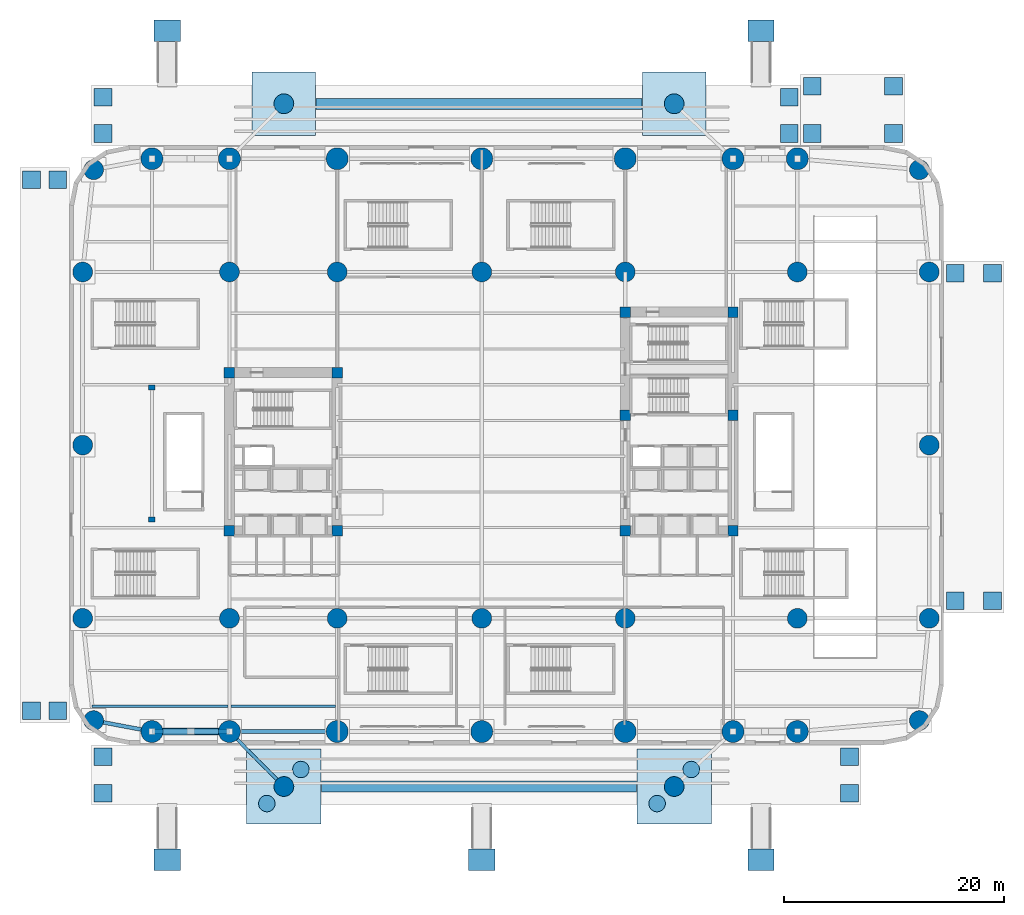
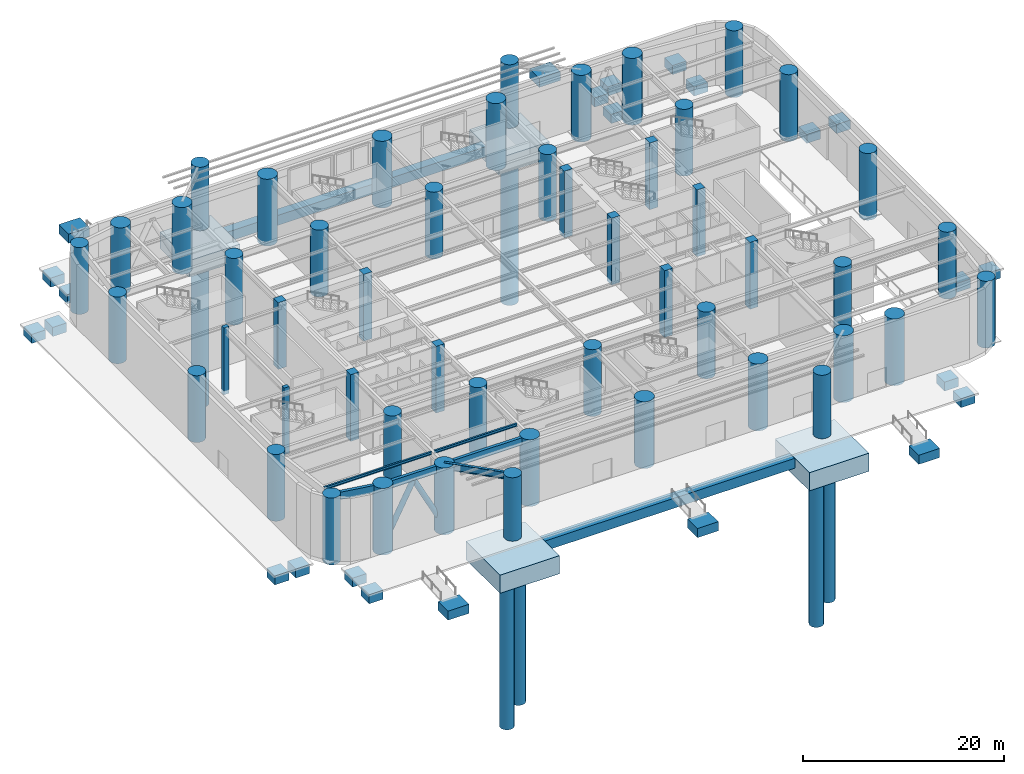
# One storey, part 1 of 25: 50 columns, 31 footings, 6 beams, 6 piles, 2 members.
"""IFC4 building model written with IfcOpenShell, lengths in metres."""

import ifcopenshell
import ifcopenshell.guid

model = None  # the IFC model being written
_history = None  # IfcOwnerHistory: only IFC2X3 demands one
_inside = {}  # id of a spatial element -> (the spatial element, [elements in it])
_under = {}  # id of a project, library or spatial element -> (it, [spatial elements below it])
_declared = {}  # id of a project -> (the project, [libraries it declares])
_typed = {}  # id of a type object -> (the type object, [elements of that type])
_made_of = {}  # id of a material, layer set ... -> (it, [elements and type objects made of it])


def new_model(schema):
    """Start an empty IFC model of exactly this schema.

    Asked for "IFC4X3", IfcOpenShell would pick the latest addendum, in which some entities
    have other attributes; the version numbers below select the first issue.
    IFC2X3 requires an IfcOwnerHistory on every rooted entity: one is made here for all.
    """
    global model, _history
    if schema == "IFC4X3":
        model = ifcopenshell.file(schema_version=(4, 3, 0, 0))
    else:
        model = ifcopenshell.file(schema=schema)
    _inside.clear()
    _under.clear()
    _declared.clear()
    _typed.clear()
    _made_of.clear()
    _history = None
    if model.schema == "IFC2X3":
        org = make("IfcOrganization", Name="unknown")
        user = make(
            "IfcPersonAndOrganization",
            ThePerson=make("IfcPerson", FamilyName="unknown"),
            TheOrganization=org,
        )
        app = make(
            "IfcApplication",
            ApplicationDeveloper=org,
            Version="unknown",
            ApplicationFullName="unknown",
            ApplicationIdentifier="unknown",
        )
        _history = make(
            "IfcOwnerHistory",
            OwningUser=user,
            OwningApplication=app,
            ChangeAction="ADDED",
            CreationDate=0,
        )
    return model


def make(cls, **values):
    """One entity of the class cls with the attributes given. An attribute that is None is left unset."""
    return model.create_entity(
        cls, **{name: value for name, value in values.items() if value is not None}
    )


def rooted(cls, **values):
    """An entity with a GlobalId (a new one), such as an element, a storey or a relation."""
    return make(cls, GlobalId=ifcopenshell.guid.new(), OwnerHistory=_history, **values)


def si_unit(unit_type, name, prefix=None):
    """IfcSIUnit, for example si_unit("LENGTHUNIT", "METRE", prefix="MILLI")."""
    return make("IfcSIUnit", UnitType=unit_type, Prefix=prefix, Name=name)


def assignment(units):
    """IfcUnitAssignment: the units of a project."""
    return None if units is None else make("IfcUnitAssignment", Units=units)


def point(xyz):
    """IfcCartesianPoint."""
    return None if xyz is None else make("IfcCartesianPoint", Coordinates=xyz)


def direction(xyz):
    """IfcDirection."""
    return None if xyz is None else make("IfcDirection", DirectionRatios=xyz)


def frame(location, z_axis=None, x_axis=None):
    """IfcAxis2Placement3D, a coordinate frame: its origin and axes. An axis left out is left unset."""
    return make(
        "IfcAxis2Placement3D",
        Location=point(location),
        Axis=direction(z_axis),
        RefDirection=direction(x_axis),
    )


def frame_2d(location, x_axis=None):
    """IfcAxis2Placement2D, a coordinate frame in the plane: its origin and x axis."""
    return make(
        "IfcAxis2Placement2D", Location=point(location), RefDirection=direction(x_axis)
    )


def origin():
    """The frame at (0, 0, 0) with its axes left unset."""
    return frame((0.0, 0.0, 0.0))


def origin_2d():
    """The frame at (0, 0) in the plane with its x axis left unset."""
    return frame_2d((0.0, 0.0))


def place(relative_to, where):
    """IfcLocalPlacement: puts the frame where relative to a parent placement (None: the world)."""
    return make(
        "IfcLocalPlacement", PlacementRelTo=relative_to, RelativePlacement=where
    )


def context(
    kind, dimensions, precision=None, world=None, true_north=None, identifier=None
):
    """IfcGeometricRepresentationContext, for example the 3D "Model" context."""
    return make(
        "IfcGeometricRepresentationContext",
        ContextIdentifier=identifier,
        ContextType=kind,
        CoordinateSpaceDimension=dimensions,
        Precision=precision,
        WorldCoordinateSystem=world,
        TrueNorth=true_north,
    )


def subcontext(parent, identifier, kind, view, scale=None):
    """IfcGeometricRepresentationSubContext, for example "Body" below "Model"."""
    return make(
        "IfcGeometricRepresentationSubContext",
        ContextIdentifier=identifier,
        ContextType=kind,
        ParentContext=parent,
        TargetScale=scale,
        TargetView=view,
    )


def project(units=None, contexts=None):
    """IfcProject with its units and contexts."""
    return rooted(
        "IfcProject",
        Name="project",
        RepresentationContexts=contexts,
        UnitsInContext=assignment(units),
    )


def spatial(cls, under=None, at=None, **own):
    """A site, building, storey or space (cls), placed at a placement, below another one or the project."""
    s = rooted(cls, ObjectPlacement=at, **own)
    if under is not None:
        _under.setdefault(under.id(), (under, []))[1].append(s)
    return s


def polyline(points):
    """IfcPolyline through the points."""
    return make("IfcPolyline", Points=[point(p) for p in points])


def profile(cls, at=None, kind="AREA", **sizes):
    """A parametric profile (cls). Its sizes go by their IFC names, for example OverallWidth=200.0."""
    return make(cls, ProfileType=kind, Position=at, **sizes)


def rectangle(**sizes):
    """IfcRectangleProfileDef."""
    return profile("IfcRectangleProfileDef", **sizes)


def hollow_rectangle(**sizes):
    """IfcRectangleHollowProfileDef."""
    return profile("IfcRectangleHollowProfileDef", **sizes)


def circle(**sizes):
    """IfcCircleProfileDef."""
    return profile("IfcCircleProfileDef", **sizes)


def hollow_circle(**sizes):
    """IfcCircleHollowProfileDef."""
    return profile("IfcCircleHollowProfileDef", **sizes)


def i_section(**sizes):
    """IfcIShapeProfileDef."""
    return profile("IfcIShapeProfileDef", **sizes)


def outline(outer, holes=None, kind="AREA"):
    """IfcArbitraryClosedProfileDef: a profile drawn as a closed curve; with holes, ...WithVoids."""
    if holes is None:
        return make("IfcArbitraryClosedProfileDef", ProfileType=kind, OuterCurve=outer)
    return make(
        "IfcArbitraryProfileDefWithVoids",
        ProfileType=kind,
        OuterCurve=outer,
        InnerCurves=holes,
    )


def extrude(swept, where, along, depth):
    """IfcExtrudedAreaSolid: the profile swept, set in the frame where, extruded along a direction by depth."""
    return make(
        "IfcExtrudedAreaSolid",
        SweptArea=swept,
        Position=where,
        ExtrudedDirection=direction(along),
        Depth=depth,
    )


def shape(context_of_items, identifier, shape_type, items):
    """IfcShapeRepresentation: the items that make up one representation, for example the "Body"."""
    return make(
        "IfcShapeRepresentation",
        ContextOfItems=context_of_items,
        RepresentationIdentifier=identifier,
        RepresentationType=shape_type,
        Items=items,
    )


def material(Name=None, Category=None):
    """IfcMaterial."""
    return make("IfcMaterial", Name=Name, Category=Category)


def material_profile(
    of_material, cross_section, Name=None, Category=None, Priority=None
):
    """IfcMaterialProfile: a cross section and its material."""
    return make(
        "IfcMaterialProfile",
        Name=Name,
        Material=of_material,
        Profile=cross_section,
        Priority=Priority,
        Category=Category,
    )


def profile_set(profiles, Name=None, composite=None):
    """IfcMaterialProfileSet."""
    return make(
        "IfcMaterialProfileSet",
        Name=Name,
        MaterialProfiles=profiles,
        CompositeProfile=composite,
    )


def made_of(thing, what):
    """Note that an element or type object is made of a material, layer set ...; save() writes the relation."""
    if what is not None:
        _made_of.setdefault(what.id(), (what, []))[1].append(thing)
    return thing


def type_object(cls, material=None, **own):
    """A type object (cls), such as IfcWallType, which elements share."""
    return made_of(rooted(cls, **own), material)


def element(
    cls,
    number,
    at=None,
    inside=None,
    cuts=None,
    type_object=None,
    material=None,
    context=None,
    identifier="Body",
    shape_type=None,
    held_by="IfcProductDefinitionShape",
    body=None,
    shapes=None,
    **own,
):
    """One element of the class cls, such as IfcWall. Its Tag is "e" and its number.

    at: its placement. inside: the storey or other place that contains it. cuts: it is an
    opening in that element (IfcRelVoidsElement). A single representation is given by context,
    identifier, shape_type and body (its items); several are given by shapes. held_by: the class
    of the entity that holds the representations. save() writes the other relations.
    """
    e = rooted(cls, Tag="e%d" % number, ObjectPlacement=at, **own)
    if body is not None:
        shapes = [shape(context, identifier, shape_type, body)]
    if shapes is not None:
        e.Representation = make(held_by, Representations=shapes)
    if inside is not None:
        _inside.setdefault(inside.id(), (inside, []))[1].append(e)
    if cuts is not None:
        rooted(
            "IfcRelVoidsElement", RelatingBuildingElement=cuts, RelatedOpeningElement=e
        )
    if type_object is not None:
        _typed.setdefault(type_object.id(), (type_object, []))[1].append(e)
    return made_of(e, material)


def aggregate(whole, parts):
    """IfcRelAggregates: a whole, such as a stair, and the parts it consists of."""
    return rooted("IfcRelAggregates", RelatingObject=whole, RelatedObjects=parts)


def save(model, path):
    """Write the relations noted so far, then the file.

    IfcRelAggregates (storeys below a building ...), IfcRelContainedInSpatialStructure (elements
    in a storey), IfcRelDefinesByType, IfcRelAssociatesMaterial and IfcRelDeclares: one each for
    every whole, place, type object, material and project.
    """
    for whole, parts in _under.values():
        aggregate(whole, parts)
    for where, things in _inside.values():
        rooted(
            "IfcRelContainedInSpatialStructure",
            RelatedElements=things,
            RelatingStructure=where,
        )
    for kind, things in _typed.values():
        rooted("IfcRelDefinesByType", RelatedObjects=things, RelatingType=kind)
    for what, things in _made_of.values():
        rooted("IfcRelAssociatesMaterial", RelatedObjects=things, RelatingMaterial=what)
    for by, libraries in _declared.values():
        rooted("IfcRelDeclares", RelatingContext=by, RelatedDefinitions=libraries)
    model.write(path)


model = new_model("IFC4")

# Units and contexts
model_context = context("Model", 3, precision=1e-05, world=origin(), true_north=direction((0.0, 1.0)))
body_context = subcontext(model_context, "Body", "Model", "MODEL_VIEW")
ifc_project = project(units=[si_unit("LENGTHUNIT", "METRE"), si_unit("AREAUNIT", "SQUARE_METRE"), si_unit("VOLUMEUNIT", "CUBIC_METRE"), si_unit("PLANEANGLEUNIT", "RADIAN"), si_unit("MASSUNIT", "GRAM", prefix="KILO")], contexts=[model_context])

# Site, building, storey
site_placement = place(None, origin())
site = spatial("IfcSite", under=ifc_project, at=site_placement, CompositionType="ELEMENT")
building_placement = place(site_placement, origin())
building = spatial("IfcBuilding", under=site, at=building_placement, Name="Kolvaren Arena Tower", CompositionType="ELEMENT")
storey_placement = place(building_placement, origin())
storey = spatial("IfcBuildingStorey", under=building, at=storey_placement, Name="L00", CompositionType="ELEMENT", Elevation=0.0)

# Footings
ifc_material_1 = material(Name="Concrete 50 MPa", Category="concrete")
footing_type_1 = type_object("IfcFootingType", Name="FB-TIE1", PredefinedType="FOOTING_BEAM", material=ifc_material_1)
footing_1_placement = place(storey_placement, frame((0.0, 0.0, -2.699951171875)))
element("IfcFooting", 1, at=footing_1_placement, inside=storey, type_object=footing_type_1, Name="Frost-Depth Grade Tie Beam FB1-01", PredefinedType="FOOTING_BEAM", context=body_context, shape_type="SweptSolid", body=[
    extrude(outline(polyline([(22.909912109375, -4.300048828125), (51.590087890625, -4.300048828125), (51.590087890625, -3.300048828125), (22.909912109375, -3.300048828125), (22.909912109375, -4.300048828125)])), origin(), (0.0, 0.0, 1.0), 1.199951171875),
])
footing_2_placement = place(storey_placement, frame((0.0, 0.0, -2.699951171875)))
element("IfcFooting", 2, at=footing_2_placement, inside=storey, type_object=footing_type_1, Name="Frost-Depth Grade Tie Beam FB1-02", PredefinedType="FOOTING_BEAM", context=body_context, shape_type="SweptSolid", body=[
    extrude(outline(polyline([(22.409912109375, 57.800048828125), (52.090087890625, 57.800048828125), (52.090087890625, 58.800048828125), (22.409912109375, 58.800048828125), (22.409912109375, 57.800048828125)])), origin(), (0.0, 0.0, 1.0), 1.199951171875),
])
footing_type_2 = type_object("IfcFootingType", Name="PAD-AP-1", PredefinedType="PAD_FOOTING", material=ifc_material_1)
for number, where, z_axis, x_axis, name in (
    (3, (67.550048828125, 55.60009765625, -1.320068359375), (0.0, 0.0, 1.0), (1.0, 0.0, 0.0), "Plaza Apron Frost Footing (North Drive 1)"),
    (4, (74.949951171875, 55.60009765625, -1.320068359375), (0.0, 0.0, 1.0), (1.0, 0.0, 0.0), "Plaza Apron Frost Footing (North Drive 2)"),
    (5, (67.550048828125, 59.89990234375, -1.320068359375), (0.0, 0.0, 1.0), (1.0, 0.0, 0.0), "Plaza Apron Frost Footing (North Drive 3)"),
    (6, (74.949951171875, 59.89990234375, -1.320068359375), (0.0, 0.0, 1.0), (1.0, 0.0, 0.0), "Plaza Apron Frost Footing (North Drive 4)"),
    (7, (3.050048828125, -4.39990234375, -1.320068359375), (0.0, 0.0, 1.0), (1.0, 0.0, 0.0), "Plaza Apron Frost Footing (South Plaza 1)"),
    (8, (70.949951171875, -4.39990234375, -1.320068359375), (0.0, 0.0, 1.0), (1.0, 0.0, 0.0), "Plaza Apron Frost Footing (South Plaza 2)"),
    (9, (3.050048828125, -1.10009765625, -1.320068359375), (0.0, 0.0, 1.0), (1.0, 0.0, 0.0), "Plaza Apron Frost Footing (South Plaza 3)"),
    (10, (70.949951171875, -1.10009765625, -1.320068359375), (0.0, 0.0, 1.0), (1.0, 0.0, 0.0), "Plaza Apron Frost Footing (South Plaza 4)"),
    (11, (3.050048828125, 55.60009765625, -1.320068359375), (0.0, 0.0, 1.0), (1.0, 0.0, 0.0), "Plaza Apron Frost Footing (North Plaza 1)"),
    (12, (65.449951171875, 55.60009765625, -1.320068359375), (0.0, 0.0, 1.0), (1.0, 0.0, 0.0), "Plaza Apron Frost Footing (North Plaza 2)"),
    (13, (3.050048828125, 58.89990234375, -1.320068359375), (0.0, 0.0, 1.0), (1.0, 0.0, 0.0), "Plaza Apron Frost Footing (North Plaza 3)"),
    (14, (65.449951171875, 58.89990234375, -1.320068359375), (0.0, 0.0, 1.0), (1.0, 0.0, 0.0), "Plaza Apron Frost Footing (North Plaza 4)"),
    (15, (-3.449951171875, 3.10009765625, -1.320068359375), (0.0, 0.0, 1.0), (1.0, 0.0, 0.0), "Plaza Apron Frost Footing (West Plaza 1)"),
    (16, (-1.050048828125, 3.10009765625, -1.320068359375), (0.0, 0.0, 1.0), (1.0, 0.0, 0.0), "Plaza Apron Frost Footing (West Plaza 2)"),
    (17, (-3.449951171875, 51.39990234375, -1.320068359375), (0.0, 0.0, 1.0), (1.0, 0.0, 0.0), "Plaza Apron Frost Footing (West Plaza 3)"),
    (18, (-1.050048828125, 51.39990234375, -1.320068359375), (0.0, 0.0, 1.0), (1.0, 0.0, 0.0), "Plaza Apron Frost Footing (West Plaza 4)"),
    (19, (80.550048828125, 13.10009765625, -1.320068359375), (0.0, 0.0, 1.0), (1.0, 0.0, 0.0), "Plaza Apron Frost Footing (East Dock 1)"),
    (20, (83.949951171875, 13.10009765625, -1.320068359375), (0.0, 0.0, 1.0), (1.0, 0.0, 0.0), "Plaza Apron Frost Footing (East Dock 2)"),
    (21, (80.550048828125, 42.89990234375, -1.320068359375), (0.0, 0.0, 1.0), (1.0, 0.0, 0.0), "Plaza Apron Frost Footing (East Dock 3)"),
    (22, (83.949951171875, 42.89990234375, -1.320068359375), (0.0, 0.0, 1.0), (1.0, 0.0, 0.0), "Plaza Apron Frost Footing (East Dock 4)"),
):
    element("IfcFooting", number, at=place(storey_placement, frame(where, z_axis=z_axis, x_axis=x_axis)), inside=storey, type_object=footing_type_2, Name=name, PredefinedType="PAD_FOOTING", context=body_context, shape_type="SweptSolid", body=[
        extrude(rectangle(XDim=1.60009765625, YDim=1.60009765625, at=origin_2d()), origin(), (0.0, 0.0, 1.0), 1.10009765625),
    ])
ifc_material_2 = material(Name="Concrete 60 MPa", Category="concrete")
footing_type_3 = type_object("IfcFootingType", Name="PCAP-ST1", PredefinedType="PILE_CAP", material=ifc_material_2)
for number, where, z_axis, x_axis, name in (
    (23, (19.5, -3.800048828125, -3.7001953125), (0.0, 0.0, 1.0), (1.0, 0.0, 0.0), "Frost-Protected Stilt Pile Cap PF-S1"),
    (24, (55.0, -3.800048828125, -3.7001953125), (0.0, 0.0, 1.0), (1.0, 0.0, 0.0), "Frost-Protected Stilt Pile Cap PF-S2"),
):
    element("IfcFooting", number, at=place(storey_placement, frame(where, z_axis=z_axis, x_axis=x_axis)), inside=storey, type_object=footing_type_3, Name=name, PredefinedType="PILE_CAP", context=body_context, shape_type="SweptSolid", body=[
        extrude(rectangle(XDim=6.800048828125, YDim=6.800048828125, at=origin_2d()), origin(), (0.0, 0.0, 1.0), 2.199951171875),
    ])
footing_type_4 = type_object("IfcFootingType", Name="PCAP-ST2", PredefinedType="PILE_CAP", material=ifc_material_2)
for number, where, z_axis, x_axis, name in (
    (25, (19.5, 58.300048828125, -3.5), (0.0, 0.0, 1.0), (1.0, 0.0, 0.0), "Frost-Protected Stilt Pile Cap PF-N1"),
    (26, (55.0, 58.300048828125, -3.5), (0.0, 0.0, 1.0), (1.0, 0.0, 0.0), "Frost-Protected Stilt Pile Cap PF-N2"),
):
    element("IfcFooting", number, at=place(storey_placement, frame(where, z_axis=z_axis, x_axis=x_axis)), inside=storey, type_object=footing_type_4, Name=name, PredefinedType="PILE_CAP", context=body_context, shape_type="SweptSolid", body=[
        extrude(rectangle(XDim=5.800048828125, YDim=5.800048828125, at=origin_2d()), origin(), (0.0, 0.0, 1.0), 2.0),
    ])

# Piles
ifc_material_profile_1 = material_profile(ifc_material_2, circle(Radius=0.75, at=origin_2d()), Name="CAISSON-D1500")
ifc_profile_set_1 = profile_set([ifc_material_profile_1], Name="Concrete 60 MPa")
pile_type_1 = type_object("IfcPileType", Name="PILE-C15", PredefinedType="BORED", material=ifc_profile_set_1)
for number, where, z_axis, x_axis, name in (
    (27, (17.949951171875, -5.35009765625, -3.5), (0.0, 0.0, -1.0), (1.0, 0.0, 0.0), "Exterior Stilt Caisson PF-S1-1"),
    (28, (21.050048828125, -2.25, -3.5), (0.0, 0.0, -1.0), (1.0, 0.0, 0.0), "Exterior Stilt Caisson PF-S1-2"),
    (29, (53.449951171875, -5.35009765625, -3.5), (0.0, 0.0, -1.0), (1.0, 0.0, 0.0), "Exterior Stilt Caisson PF-S2-1"),
    (30, (56.550048828125, -2.25, -3.5), (0.0, 0.0, -1.0), (1.0, 0.0, 0.0), "Exterior Stilt Caisson PF-S2-2"),
):
    element("IfcPile", number, at=place(storey_placement, frame(where, z_axis=z_axis, x_axis=x_axis)), inside=storey, type_object=pile_type_1, Name=name, PredefinedType="BORED", context=body_context, shape_type="SweptSolid", body=[
        extrude(circle(Radius=0.75, at=origin_2d()), origin(), (0.0, 0.0, 1.0), 18.0),
    ])
ifc_material_profile_2 = material_profile(ifc_material_2, circle(Radius=0.89990234375, at=origin_2d()), Name="CAISSON-D1800")
ifc_profile_set_2 = profile_set([ifc_material_profile_2], Name="Concrete 60 MPa")
pile_type_2 = type_object("IfcPileType", Name="PILE-C18", PredefinedType="BORED", material=ifc_profile_set_2)
for number, where, z_axis, x_axis, name in (
    (31, (19.5, 58.300048828125, -3.300048828125), (0.0, 0.0, -1.0), (1.0, 0.0, 0.0), "Exterior Stilt Caisson PF-N1"),
    (32, (55.0, 58.300048828125, -3.300048828125), (0.0, 0.0, -1.0), (1.0, 0.0, 0.0), "Exterior Stilt Caisson PF-N2"),
):
    element("IfcPile", number, at=place(storey_placement, frame(where, z_axis=z_axis, x_axis=x_axis)), inside=storey, type_object=pile_type_2, Name=name, PredefinedType="BORED", context=body_context, shape_type="SweptSolid", body=[
        extrude(circle(Radius=0.89990234375, at=origin_2d()), origin(), (0.0, 0.0, 1.0), 18.199951171875),
    ])

# Footings
footing_type_5 = type_object("IfcFootingType", Name="STRIP-RW-1", PredefinedType="STRIP_FOOTING", material=ifc_material_1)
footing_3_placement = place(storey_placement, frame((0.0, 0.0, -1.4599609375)))
element("IfcFooting", 33, at=footing_3_placement, inside=storey, type_object=footing_type_5, Name="Street Curb Frost Footing (SW)", PredefinedType="STRIP_FOOTING", context=body_context, shape_type="SweptSolid", body=[
    extrude(outline(polyline([(7.699951171875, -11.419921875), (10.10009765625, -11.419921875), (10.10009765625, -9.469970703125), (7.699951171875, -9.469970703125), (7.699951171875, -11.419921875)])), origin(), (0.0, 0.0, 1.0), 1.099853515625),
])
footing_4_placement = place(storey_placement, frame((0.0, 0.0, -1.4599609375)))
element("IfcFooting", 34, at=footing_4_placement, inside=storey, type_object=footing_type_5, Name="Street Curb Frost Footing (SC)", PredefinedType="STRIP_FOOTING", context=body_context, shape_type="SweptSolid", body=[
    extrude(outline(polyline([(36.300048828125, -11.419921875), (38.699951171875, -11.419921875), (38.699951171875, -9.469970703125), (36.300048828125, -9.469970703125), (36.300048828125, -11.419921875)])), origin(), (0.0, 0.0, 1.0), 1.099853515625),
])
footing_5_placement = place(storey_placement, frame((0.0, 0.0, -1.4599609375)))
element("IfcFooting", 35, at=footing_5_placement, inside=storey, type_object=footing_type_5, Name="Street Curb Frost Footing (SE)", PredefinedType="STRIP_FOOTING", context=body_context, shape_type="SweptSolid", body=[
    extrude(outline(polyline([(61.699951171875, -11.419921875), (64.10009765625, -11.419921875), (64.10009765625, -9.469970703125), (61.699951171875, -9.469970703125), (61.699951171875, -11.419921875)])), origin(), (0.0, 0.0, 1.0), 1.099853515625),
])
footing_6_placement = place(storey_placement, frame((0.0, 0.0, -1.4599609375)))
element("IfcFooting", 36, at=footing_6_placement, inside=storey, type_object=footing_type_5, Name="Street Curb Frost Footing (NW)", PredefinedType="STRIP_FOOTING", context=body_context, shape_type="SweptSolid", body=[
    extrude(outline(polyline([(7.699951171875, 63.969970703125), (10.10009765625, 63.969970703125), (10.10009765625, 65.919921875), (7.699951171875, 65.919921875), (7.699951171875, 63.969970703125)])), origin(), (0.0, 0.0, 1.0), 1.099853515625),
])
footing_7_placement = place(storey_placement, frame((0.0, 0.0, -1.4599609375)))
element("IfcFooting", 37, at=footing_7_placement, inside=storey, type_object=footing_type_5, Name="Street Curb Frost Footing (NE)", PredefinedType="STRIP_FOOTING", context=body_context, shape_type="SweptSolid", body=[
    extrude(outline(polyline([(61.699951171875, 63.969970703125), (64.10009765625, 63.969970703125), (64.10009765625, 65.919921875), (61.699951171875, 65.919921875), (61.699951171875, 63.969970703125)])), origin(), (0.0, 0.0, 1.0), 1.099853515625),
])

# Columns
ifc_material_profile_3 = material_profile(ifc_material_2, rectangle(XDim=0.949951171875, YDim=0.949951171875, at=origin_2d()), Name="RC-950x950")
ifc_profile_set_3 = profile_set([ifc_material_profile_3], Name="Concrete 60 MPa")
column_type_1 = type_object("IfcColumnType", Name="PCOL-B1", PredefinedType="COLUMN", material=ifc_profile_set_3)
for number, where, z_axis, x_axis, name in (
    (38, (14.550048828125, 19.449951171875, -0.449951171875), (0.0, 0.0, 1.0), (1.0, 0.0, 0.0), "Core Boundary Column WC-SW (L00)"),
    (39, (24.35009765625, 19.449951171875, -0.449951171875), (0.0, 0.0, 1.0), (1.0, 0.0, 0.0), "Core Boundary Column WC-SE (L00)"),
    (40, (14.550048828125, 33.85009765625, -0.449951171875), (0.0, 0.0, 1.0), (1.0, 0.0, 0.0), "Core Boundary Column WC-NW (L00)"),
    (41, (24.35009765625, 33.85009765625, -0.449951171875), (0.0, 0.0, 1.0), (1.0, 0.0, 0.0), "Core Boundary Column WC-NE (L00)"),
    (42, (50.550048828125, 19.449951171875, -0.449951171875), (0.0, 0.0, 1.0), (1.0, 0.0, 0.0), "Core Boundary Column EC-SW (L00)"),
    (43, (60.35009765625, 19.449951171875, -0.449951171875), (0.0, 0.0, 1.0), (1.0, 0.0, 0.0), "Core Boundary Column EC-SE (L00)"),
    (44, (50.550048828125, 29.949951171875, -0.449951171875), (0.0, 0.0, 1.0), (1.0, 0.0, 0.0), "Core Boundary Column EC-MW (L00)"),
    (45, (60.35009765625, 29.949951171875, -0.449951171875), (0.0, 0.0, 1.0), (1.0, 0.0, 0.0), "Core Boundary Column EC-ME (L00)"),
    (46, (50.550048828125, 39.35009765625, -0.449951171875), (0.0, 0.0, 1.0), (1.0, 0.0, 0.0), "Core Boundary Column EC-NW (L00)"),
    (47, (60.35009765625, 39.35009765625, -0.449951171875), (0.0, 0.0, 1.0), (1.0, 0.0, 0.0), "Core Boundary Column EC-NE (L00)"),
):
    element("IfcColumn", number, at=place(storey_placement, frame(where, z_axis=z_axis, x_axis=x_axis)), inside=storey, type_object=column_type_1, Name=name, PredefinedType="COLUMN", context=body_context, shape_type="SweptSolid", body=[
        extrude(rectangle(XDim=0.949951171875, YDim=0.949951171875, at=origin_2d()), origin(), (0.0, 0.0, 1.0), 8.099853515625),
    ])
ifc_material_3 = material(Name="Precast concrete C50/60", Category="concrete")
ifc_material_profile_4 = material_profile(ifc_material_3, rectangle(XDim=0.60009765625, YDim=0.449951171875, at=origin_2d()), Name="RC-600x450")
ifc_profile_set_4 = profile_set([ifc_material_profile_4], Name="Precast concrete C50/60")
column_type_2 = type_object("IfcColumnType", Name="PIL-01", PredefinedType="PILASTER", material=ifc_profile_set_4)
for number, where, z_axis, x_axis, name in (
    (48, (7.5, 20.5, -0.449951171875), (0.0, 0.0, 1.0), (1.0, 0.0, 0.0), "Concourse Structural Pilaster 1 (L00)"),
    (49, (7.5, 32.5, -0.449951171875), (0.0, 0.0, 1.0), (1.0, 0.0, 0.0), "Concourse Structural Pilaster 2 (L00)"),
):
    element("IfcColumn", number, at=place(storey_placement, frame(where, z_axis=z_axis, x_axis=x_axis)), inside=storey, type_object=column_type_2, Name=name, PredefinedType="PILASTER", context=body_context, shape_type="SweptSolid", body=[
        extrude(rectangle(XDim=0.60009765625, YDim=0.449951171875, at=origin_2d()), origin(), (0.0, 0.0, 1.0), 8.099853515625),
    ])
ifc_material_4 = material(Name="Concrete 80 MPa", Category="concrete")
ifc_material_profile_5 = material_profile(ifc_material_4, circle(Radius=1.0, at=origin_2d()), Name="RC-CIRC-2000")
ifc_profile_set_5 = profile_set([ifc_material_profile_5], Name="Concrete 80 MPa")
column_type_3 = type_object("IfcColumnType", Name="STILT-C1", PredefinedType="COLUMN", material=ifc_profile_set_5)
for number, where, z_axis, x_axis, name in (
    (50, (7.5, 1.199951171875, -0.449951171875), (0.0, 0.0, 1.0), (1.0, 0.0, 0.0), "Composite Open Stilt PS-01 (L00)"),
    (51, (14.550048828125, 1.199951171875, -0.449951171875), (0.0, 0.0, 1.0), (1.0, 0.0, 0.0), "Composite Open Stilt PS-02 (L00)"),
    (52, (24.35009765625, 1.199951171875, -0.449951171875), (0.0, 0.0, 1.0), (1.0, 0.0, 0.0), "Composite Open Stilt PS-03 (L00)"),
    (53, (37.5, 1.199951171875, -0.449951171875), (0.0, 0.0, 1.0), (1.0, 0.0, 0.0), "Composite Open Stilt PS-04 (L00)"),
    (54, (50.550048828125, 1.199951171875, -0.449951171875), (0.0, 0.0, 1.0), (1.0, 0.0, 0.0), "Composite Open Stilt PS-05 (L00)"),
    (55, (60.35009765625, 1.199951171875, -0.449951171875), (0.0, 0.0, 1.0), (1.0, 0.0, 0.0), "Composite Open Stilt PS-06 (L00)"),
    (56, (66.199951171875, 1.199951171875, -0.449951171875), (0.0, 0.0, 1.0), (1.0, 0.0, 0.0), "Composite Open Stilt PS-07 (L00)"),
    (57, (66.199951171875, 53.300048828125, -0.449951171875), (0.0, 0.0, 1.0), (1.0, 0.0, 0.0), "Composite Open Stilt PN-07 (L00)"),
    (58, (60.35009765625, 53.300048828125, -0.449951171875), (0.0, 0.0, 1.0), (1.0, 0.0, 0.0), "Composite Open Stilt PN-06 (L00)"),
    (59, (50.550048828125, 53.300048828125, -0.449951171875), (0.0, 0.0, 1.0), (1.0, 0.0, 0.0), "Composite Open Stilt PN-05 (L00)"),
    (60, (37.5, 53.300048828125, -0.449951171875), (0.0, 0.0, 1.0), (1.0, 0.0, 0.0), "Composite Open Stilt PN-04 (L00)"),
    (61, (24.35009765625, 53.300048828125, -0.449951171875), (0.0, 0.0, 1.0), (1.0, 0.0, 0.0), "Composite Open Stilt PN-03 (L00)"),
    (62, (14.550048828125, 53.300048828125, -0.449951171875), (0.0, 0.0, 1.0), (1.0, 0.0, 0.0), "Composite Open Stilt PN-02 (L00)"),
    (63, (7.5, 53.300048828125, -0.449951171875), (0.0, 0.0, 1.0), (1.0, 0.0, 0.0), "Composite Open Stilt PN-01 (L00)"),
):
    element("IfcColumn", number, at=place(storey_placement, frame(where, z_axis=z_axis, x_axis=x_axis)), inside=storey, type_object=column_type_3, Name=name, PredefinedType="COLUMN", context=body_context, shape_type="SweptSolid", body=[
        extrude(circle(Radius=1.0, at=origin_2d()), origin(), (0.0, 0.0, 1.0), 8.099853515625),
    ])
ifc_material_profile_6 = material_profile(ifc_material_4, circle(Radius=0.89990234375, at=origin_2d()), Name="RC-CIRC-1800")
ifc_profile_set_6 = profile_set([ifc_material_profile_6], Name="Concrete 80 MPa")
column_type_4 = type_object("IfcColumnType", Name="STILT-C2", PredefinedType="COLUMN", material=ifc_profile_set_6)
for number, where, z_axis, x_axis, name in (
    (64, (2.199951171875, 2.199951171875, -0.449951171875), (0.0, 0.0, 1.0), (1.0, 0.0, 0.0), "Composite Open Stilt PS-C0 (L00)"),
    (65, (77.300048828125, 2.199951171875, -0.449951171875), (0.0, 0.0, 1.0), (1.0, 0.0, 0.0), "Composite Open Stilt PE-C0 (L00)"),
    (66, (78.199951171875, 11.5, -0.449951171875), (0.0, 0.0, 1.0), (1.0, 0.0, 0.0), "Composite Open Stilt PE-01 (L00)"),
    (67, (78.199951171875, 27.25, -0.449951171875), (0.0, 0.0, 1.0), (1.0, 0.0, 0.0), "Composite Open Stilt PE-02 (L00)"),
    (68, (78.199951171875, 43.0, -0.449951171875), (0.0, 0.0, 1.0), (1.0, 0.0, 0.0), "Composite Open Stilt PE-03 (L00)"),
    (69, (77.300048828125, 52.300048828125, -0.449951171875), (0.0, 0.0, 1.0), (1.0, 0.0, 0.0), "Composite Open Stilt PN-C1 (L00)"),
    (70, (2.199951171875, 52.300048828125, -0.449951171875), (0.0, 0.0, 1.0), (1.0, 0.0, 0.0), "Composite Open Stilt PN-C0 (L00)"),
    (71, (1.199951171875, 43.0, -0.449951171875), (0.0, 0.0, 1.0), (1.0, 0.0, 0.0), "Composite Open Stilt PW-03 (L00)"),
    (72, (1.199951171875, 27.25, -0.449951171875), (0.0, 0.0, 1.0), (1.0, 0.0, 0.0), "Composite Open Stilt PW-02 (L00)"),
    (73, (1.199951171875, 11.5, -0.449951171875), (0.0, 0.0, 1.0), (1.0, 0.0, 0.0), "Composite Open Stilt PW-01 (L00)"),
    (74, (14.550048828125, 11.5, -0.449951171875), (0.0, 0.0, 1.0), (1.0, 0.0, 0.0), "Concourse Structural Column PB-S1 (L00)"),
    (75, (24.35009765625, 11.5, -0.449951171875), (0.0, 0.0, 1.0), (1.0, 0.0, 0.0), "Concourse Structural Column PB-S2 (L00)"),
    (76, (37.5, 11.5, -0.449951171875), (0.0, 0.0, 1.0), (1.0, 0.0, 0.0), "Concourse Structural Column PB-S3 (L00)"),
    (77, (50.550048828125, 11.5, -0.449951171875), (0.0, 0.0, 1.0), (1.0, 0.0, 0.0), "Concourse Structural Column PB-S4 (L00)"),
    (78, (66.199951171875, 11.5, -0.449951171875), (0.0, 0.0, 1.0), (1.0, 0.0, 0.0), "Concourse Structural Column PB-S5 (L00)"),
    (79, (14.550048828125, 43.0, -0.449951171875), (0.0, 0.0, 1.0), (1.0, 0.0, 0.0), "Concourse Structural Column PB-N1 (L00)"),
    (80, (24.35009765625, 43.0, -0.449951171875), (0.0, 0.0, 1.0), (1.0, 0.0, 0.0), "Concourse Structural Column PB-N2 (L00)"),
    (81, (37.5, 43.0, -0.449951171875), (0.0, 0.0, 1.0), (1.0, 0.0, 0.0), "Concourse Structural Column PB-N3 (L00)"),
    (82, (50.550048828125, 43.0, -0.449951171875), (0.0, 0.0, 1.0), (1.0, 0.0, 0.0), "Concourse Structural Column PB-N4 (L00)"),
    (83, (66.199951171875, 43.0, -0.449951171875), (0.0, 0.0, 1.0), (1.0, 0.0, 0.0), "Concourse Structural Column PB-N5 (L00)"),
):
    element("IfcColumn", number, at=place(storey_placement, frame(where, z_axis=z_axis, x_axis=x_axis)), inside=storey, type_object=column_type_4, Name=name, PredefinedType="COLUMN", context=body_context, shape_type="SweptSolid", body=[
        extrude(circle(Radius=0.89990234375, at=origin_2d()), origin(), (0.0, 0.0, 1.0), 8.099853515625),
    ])
for number, where, z_axis, x_axis, name in (
    (84, (19.5, -3.800048828125, 0.0), (0.0, 0.0, 1.0), (1.0, 0.0, 0.0), "Plaza Forecourt Open Stilt PF-S1"),
    (85, (55.0, -3.800048828125, 0.0), (0.0, 0.0, 1.0), (1.0, 0.0, 0.0), "Plaza Forecourt Open Stilt PF-S2"),
    (86, (19.5, 58.300048828125, 0.0), (0.0, 0.0, 1.0), (1.0, 0.0, 0.0), "Plaza Forecourt Open Stilt PF-N1"),
    (87, (55.0, 58.300048828125, 0.0), (0.0, 0.0, 1.0), (1.0, 0.0, 0.0), "Plaza Forecourt Open Stilt PF-N2"),
):
    element("IfcColumn", number, at=place(storey_placement, frame(where, z_axis=z_axis, x_axis=x_axis)), inside=storey, type_object=column_type_4, Name=name, PredefinedType="COLUMN", context=body_context, shape_type="SweptSolid", body=[
        extrude(circle(Radius=0.89990234375, at=origin_2d()), origin(), (0.0, 0.0, 1.0), 7.699951171875),
    ])

# Members
ifc_material_5 = material(Name="Steel CSA G40.21 350WT", Category="steel")
ifc_material_profile_7 = material_profile(ifc_material_5, hollow_circle(Radius=0.304931640625, WallThickness=0.028076171875, at=origin_2d()), Name="CHS 610x28")
ifc_profile_set_7 = profile_set([ifc_material_profile_7], Name="Steel CSA G40.21 350WT")
member_type = type_object("IfcMemberType", Name="EXO-STRUT1", PredefinedType="STRUT", material=ifc_profile_set_7)
for number, where, z_axis, x_axis, name in (
    (88, (7.5, 1.199951171875, 0.050048828125), (0.462091236057, 0.0, 0.886832390906), (0.0, 1.0, 0.0), "Stilt Podium Inclined Strut 1"),
    (89, (14.550048828125, 1.199951171875, 0.050048828125), (-0.462116406691, 0.0, 0.886819275088), (0.0, -1.0, 0.0), "Stilt Podium Inclined Strut 2"),
):
    element("IfcMember", number, at=place(storey_placement, frame(where, z_axis=z_axis, x_axis=x_axis)), inside=storey, type_object=member_type, Name=name, PredefinedType="STRUT", context=body_context, shape_type="SweptSolid", body=[
        extrude(hollow_circle(Radius=0.304931640625, WallThickness=0.028076171875, at=origin_2d()), origin(), (0.0, 0.0, 1.0), 7.628173828125),
    ])

# Beams
ifc_material_6 = material(Name="Steel CSA G40.21 350W", Category="steel")
ifc_material_profile_8 = material_profile(ifc_material_6, i_section(OverallWidth=0.2919921875, OverallDepth=0.85498046875, WebThickness=0.02099609375, FlangeThickness=0.03564453125, FilletRadius=0.01806640625, at=origin_2d()), Name="W840x299")
ifc_profile_set_8 = profile_set([ifc_material_profile_8], Name="Steel CSA G40.21 350W")
beam_type_1 = type_object("IfcBeamType", Name="GIRD-P1", PredefinedType="BEAM", material=ifc_profile_set_8)
beam_1_placement = place(storey_placement, frame((19.5, -3.800048828125, 7.2724609375), z_axis=(-0.703541093045, 0.710654578819, 0.0), x_axis=(-0.710654578819, -0.703541093045, 0.0)))
element("IfcBeam", 90, at=beam_1_placement, inside=storey, type_object=beam_type_1, Name="Plaza Colonnade Tie Girder PF-S1", PredefinedType="BEAM", context=body_context, shape_type="SweptSolid", body=[
    extrude(i_section(OverallWidth=0.2919921875, OverallDepth=0.85498046875, WebThickness=0.02099609375, FlangeThickness=0.03564453125, FilletRadius=0.01806640625, at=origin_2d()), origin(), (0.0, 0.0, 1.0), 7.035888671875),
])
ifc_material_profile_9 = material_profile(ifc_material_6, i_section(OverallWidth=0.202880859375, OverallDepth=0.346923828125, WebThickness=0.0078125, FlangeThickness=0.013427734375, FilletRadius=0.010986328125, at=origin_2d()), Name="W360x64")
ifc_profile_set_9 = profile_set([ifc_material_profile_9], Name="Steel CSA G40.21 350W")
beam_type_2 = type_object("IfcBeamType", Name="JOIST-01", PredefinedType="JOIST", material=ifc_profile_set_9)
beam_2_placement = place(storey_placement, frame((2.060302734375, 3.5, 7.4765625), z_axis=(1.0, 0.0, 0.0), x_axis=(0.0, 1.0, 0.0)))
element("IfcBeam", 91, at=beam_2_placement, inside=storey, type_object=beam_type_2, Name="Composite Floor Joist (L00)", PredefinedType="JOIST", context=body_context, shape_type="SweptSolid", body=[
    extrude(i_section(OverallWidth=0.202880859375, OverallDepth=0.346923828125, WebThickness=0.0078125, FlangeThickness=0.013427734375, FilletRadius=0.010986328125, at=origin_2d()), origin(), (0.0, 0.0, 1.0), 12.34375),
])
beam_3_placement = place(storey_placement, frame((14.696044921875, 3.5, 7.4765625), z_axis=(1.0, 0.0, 0.0), x_axis=(0.0, 1.0, 0.0)))
element("IfcBeam", 92, at=beam_3_placement, inside=storey, type_object=beam_type_2, Name="Composite Floor Joist (L00)", PredefinedType="JOIST", context=body_context, shape_type="SweptSolid", body=[
    extrude(i_section(OverallWidth=0.202880859375, OverallDepth=0.346923828125, WebThickness=0.0078125, FlangeThickness=0.013427734375, FilletRadius=0.010986328125, at=origin_2d()), origin(), (0.0, 0.0, 1.0), 9.508056640625),
])
ifc_material_profile_10 = material_profile(ifc_material_5, hollow_rectangle(XDim=0.35009765625, YDim=0.89990234375, WallThickness=0.02001953125, at=origin_2d()), Name="HSS 900x350x20")
ifc_profile_set_10 = profile_set([ifc_material_profile_10], Name="Steel CSA G40.21 350WT")
beam_type_3 = type_object("IfcBeamType", Name="SPAND-01", PredefinedType="SPANDREL", material=ifc_profile_set_10)
beam_4_placement = place(storey_placement, frame((2.199951171875, 2.199951171875, 7.199951171875), z_axis=(0.982661964955, -0.185406209796, 0.0), x_axis=(0.185406209796, 0.982661964955, 0.0)))
element("IfcBeam", 93, at=beam_4_placement, inside=storey, type_object=beam_type_3, Name="Perimeter Spandrel Beam (L00)", PredefinedType="SPANDREL", context=body_context, shape_type="SweptSolid", body=[
    extrude(hollow_rectangle(XDim=0.35009765625, YDim=0.89990234375, WallThickness=0.02001953125, at=origin_2d()), origin(), (0.0, 0.0, 1.0), 5.3935546875),
])
beam_5_placement = place(storey_placement, frame((7.5, 1.199951171875, 7.199951171875), z_axis=(1.0, 0.0, 0.0), x_axis=(0.0, 1.0, 0.0)))
element("IfcBeam", 94, at=beam_5_placement, inside=storey, type_object=beam_type_3, Name="Perimeter Spandrel Beam (L00)", PredefinedType="SPANDREL", context=body_context, shape_type="SweptSolid", body=[
    extrude(hollow_rectangle(XDim=0.35009765625, YDim=0.89990234375, WallThickness=0.02001953125, at=origin_2d()), origin(), (0.0, 0.0, 1.0), 7.050048828125),
])
beam_6_placement = place(storey_placement, frame((14.550048828125, 1.199951171875, 7.199951171875), z_axis=(1.0, 0.0, 0.0), x_axis=(0.0, 1.0, 0.0)))
element("IfcBeam", 95, at=beam_6_placement, inside=storey, type_object=beam_type_3, Name="Perimeter Spandrel Beam (L00)", PredefinedType="SPANDREL", context=body_context, shape_type="SweptSolid", body=[
    extrude(hollow_rectangle(XDim=0.35009765625, YDim=0.89990234375, WallThickness=0.02001953125, at=origin_2d()), origin(), (0.0, 0.0, 1.0), 9.800048828125),
])

save(model, "model.ifc")
